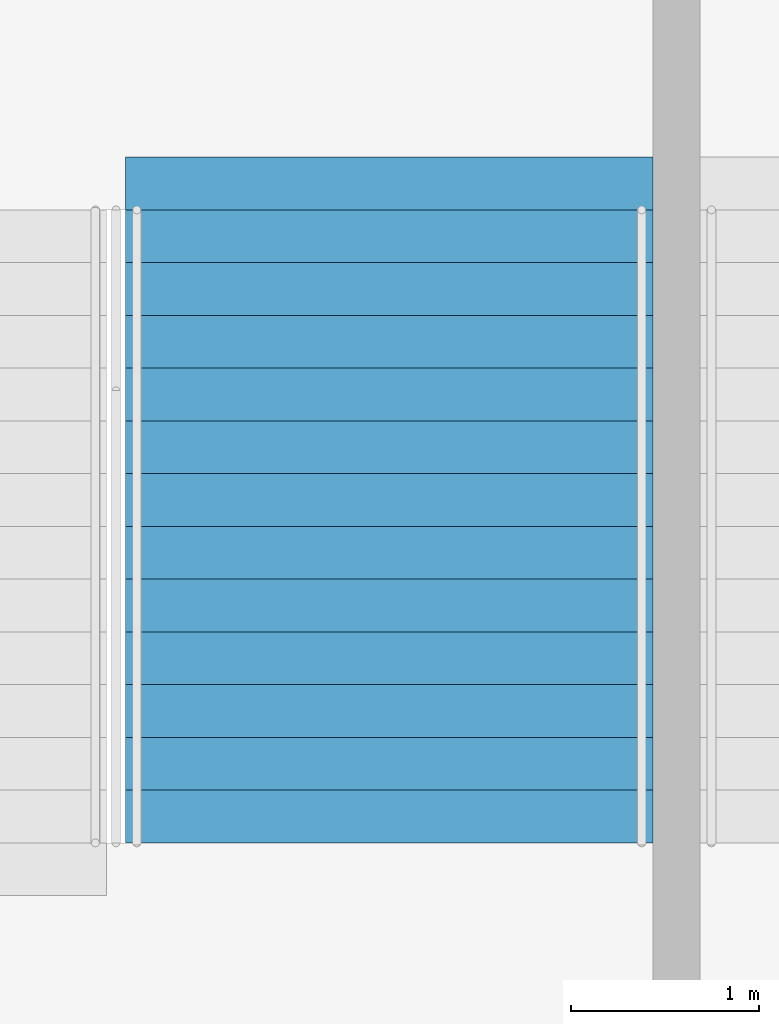
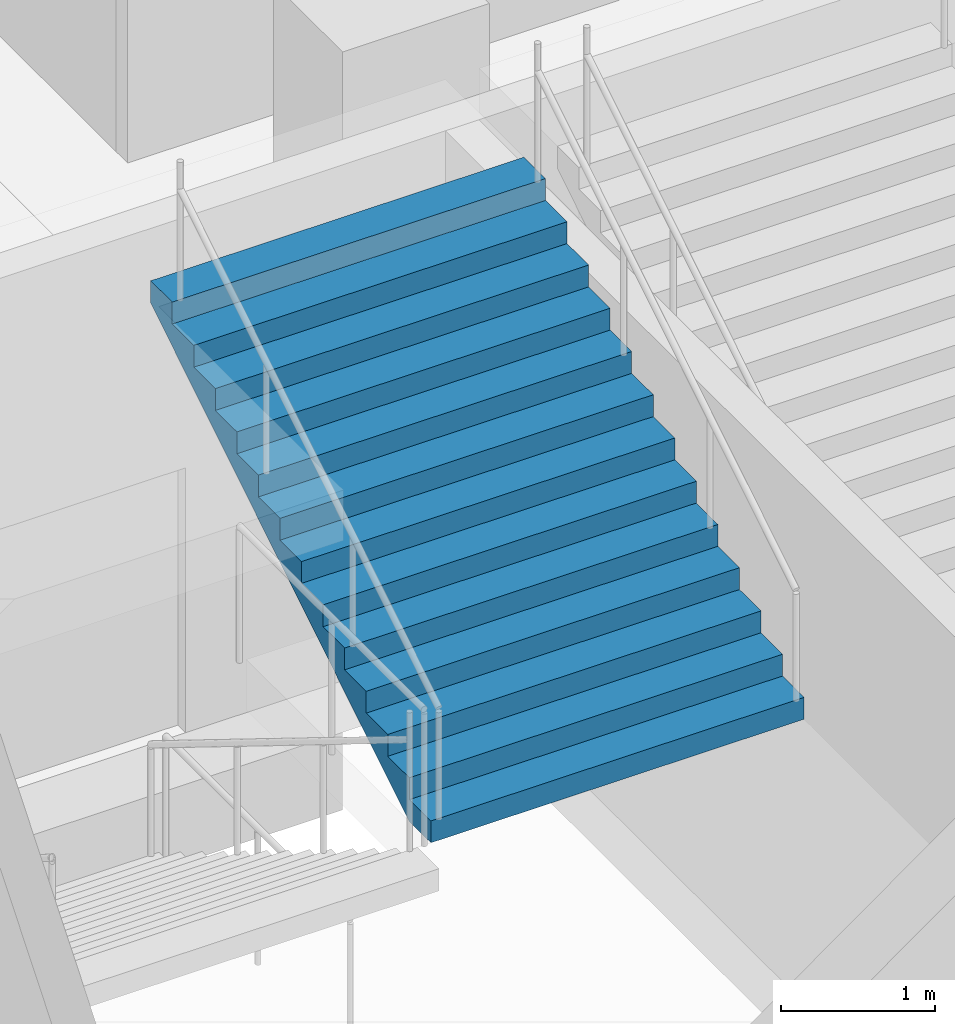
# One storey, part 118 of 199: 1 stair flight, 1 element without a shape of its own.
"""IFC4 building model written with IfcOpenShell, lengths in metres."""

import ifcopenshell
import ifcopenshell.guid

model = None  # the IFC model being written
_history = None  # IfcOwnerHistory: only IFC2X3 demands one
_inside = {}  # id of a spatial element -> (the spatial element, [elements in it])
_under = {}  # id of a project, library or spatial element -> (it, [spatial elements below it])
_declared = {}  # id of a project -> (the project, [libraries it declares])
_typed = {}  # id of a type object -> (the type object, [elements of that type])
_made_of = {}  # id of a material, layer set ... -> (it, [elements and type objects made of it])


def new_model(schema):
    """Start an empty IFC model of exactly this schema.

    Asked for "IFC4X3", IfcOpenShell would pick the latest addendum, in which some entities
    have other attributes; the version numbers below select the first issue.
    IFC2X3 requires an IfcOwnerHistory on every rooted entity: one is made here for all.
    """
    global model, _history
    if schema == "IFC4X3":
        model = ifcopenshell.file(schema_version=(4, 3, 0, 0))
    else:
        model = ifcopenshell.file(schema=schema)
    _inside.clear()
    _under.clear()
    _declared.clear()
    _typed.clear()
    _made_of.clear()
    _history = None
    if model.schema == "IFC2X3":
        org = make("IfcOrganization", Name="unknown")
        user = make(
            "IfcPersonAndOrganization",
            ThePerson=make("IfcPerson", FamilyName="unknown"),
            TheOrganization=org,
        )
        app = make(
            "IfcApplication",
            ApplicationDeveloper=org,
            Version="unknown",
            ApplicationFullName="unknown",
            ApplicationIdentifier="unknown",
        )
        _history = make(
            "IfcOwnerHistory",
            OwningUser=user,
            OwningApplication=app,
            ChangeAction="ADDED",
            CreationDate=0,
        )
    return model


def make(cls, **values):
    """One entity of the class cls with the attributes given. An attribute that is None is left unset."""
    return model.create_entity(
        cls, **{name: value for name, value in values.items() if value is not None}
    )


def rooted(cls, **values):
    """An entity with a GlobalId (a new one), such as an element, a storey or a relation."""
    return make(cls, GlobalId=ifcopenshell.guid.new(), OwnerHistory=_history, **values)


def si_unit(unit_type, name, prefix=None):
    """IfcSIUnit, for example si_unit("LENGTHUNIT", "METRE", prefix="MILLI")."""
    return make("IfcSIUnit", UnitType=unit_type, Prefix=prefix, Name=name)


def assignment(units):
    """IfcUnitAssignment: the units of a project."""
    return None if units is None else make("IfcUnitAssignment", Units=units)


def point(xyz):
    """IfcCartesianPoint."""
    return None if xyz is None else make("IfcCartesianPoint", Coordinates=xyz)


def direction(xyz):
    """IfcDirection."""
    return None if xyz is None else make("IfcDirection", DirectionRatios=xyz)


def frame(location, z_axis=None, x_axis=None):
    """IfcAxis2Placement3D, a coordinate frame: its origin and axes. An axis left out is left unset."""
    return make(
        "IfcAxis2Placement3D",
        Location=point(location),
        Axis=direction(z_axis),
        RefDirection=direction(x_axis),
    )


def origin():
    """The frame at (0, 0, 0) with its axes left unset."""
    return frame((0.0, 0.0, 0.0))


def place(relative_to, where):
    """IfcLocalPlacement: puts the frame where relative to a parent placement (None: the world)."""
    return make(
        "IfcLocalPlacement", PlacementRelTo=relative_to, RelativePlacement=where
    )


def context(
    kind, dimensions, precision=None, world=None, true_north=None, identifier=None
):
    """IfcGeometricRepresentationContext, for example the 3D "Model" context."""
    return make(
        "IfcGeometricRepresentationContext",
        ContextIdentifier=identifier,
        ContextType=kind,
        CoordinateSpaceDimension=dimensions,
        Precision=precision,
        WorldCoordinateSystem=world,
        TrueNorth=true_north,
    )


def subcontext(parent, identifier, kind, view, scale=None):
    """IfcGeometricRepresentationSubContext, for example "Body" below "Model"."""
    return make(
        "IfcGeometricRepresentationSubContext",
        ContextIdentifier=identifier,
        ContextType=kind,
        ParentContext=parent,
        TargetScale=scale,
        TargetView=view,
    )


def project(units=None, contexts=None):
    """IfcProject with its units and contexts."""
    return rooted(
        "IfcProject",
        Name="project",
        RepresentationContexts=contexts,
        UnitsInContext=assignment(units),
    )


def spatial(cls, under=None, at=None, **own):
    """A site, building, storey or space (cls), placed at a placement, below another one or the project."""
    s = rooted(cls, ObjectPlacement=at, **own)
    if under is not None:
        _under.setdefault(under.id(), (under, []))[1].append(s)
    return s


def faces_of(points, faces, orient=None, outer=None):
    """IfcFace entities. A face is a list of loops; a loop is a list of indices into points, from 0.

    orient and outer hold one flag for each loop. By default every Orientation is true, the
    first loop of a face is its IfcFaceOuterBound and the others are IfcFaceBound.
    """
    made = []
    for i, loops in enumerate(faces):
        bounds = []
        for j, loop in enumerate(loops):
            is_outer = j == 0 if outer is None else outer[i][j]
            bounds.append(
                make(
                    "IfcFaceOuterBound" if is_outer else "IfcFaceBound",
                    Bound=make("IfcPolyLoop", Polygon=[points[k] for k in loop]),
                    Orientation=True if orient is None else orient[i][j],
                )
            )
        made.append(make("IfcFace", Bounds=bounds))
    return made


def faceted_brep(points, faces, orient=None, outer=None, voids=None):
    """IfcFacetedBrep: a solid bounded by flat faces; with voids (closed shells), ...WithVoids."""
    shared = [point(p) for p in points]
    hull = make("IfcClosedShell", CfsFaces=faces_of(shared, faces, orient, outer))
    if voids is None:
        return make("IfcFacetedBrep", Outer=hull)
    return make(
        "IfcFacetedBrepWithVoids",
        Outer=hull,
        Voids=[
            make(cls, CfsFaces=faces_of(shared, fs, o, b)) for cls, fs, o, b in voids
        ],
    )


def shape(context_of_items, identifier, shape_type, items):
    """IfcShapeRepresentation: the items that make up one representation, for example the "Body"."""
    return make(
        "IfcShapeRepresentation",
        ContextOfItems=context_of_items,
        RepresentationIdentifier=identifier,
        RepresentationType=shape_type,
        Items=items,
    )


def material(Name=None, Category=None):
    """IfcMaterial."""
    return make("IfcMaterial", Name=Name, Category=Category)


def made_of(thing, what):
    """Note that an element or type object is made of a material, layer set ...; save() writes the relation."""
    if what is not None:
        _made_of.setdefault(what.id(), (what, []))[1].append(thing)
    return thing


def type_object(cls, material=None, **own):
    """A type object (cls), such as IfcWallType, which elements share."""
    return made_of(rooted(cls, **own), material)


def element(
    cls,
    number,
    at=None,
    inside=None,
    cuts=None,
    type_object=None,
    material=None,
    context=None,
    identifier="Body",
    shape_type=None,
    held_by="IfcProductDefinitionShape",
    body=None,
    shapes=None,
    **own,
):
    """One element of the class cls, such as IfcWall. Its Tag is "e" and its number.

    at: its placement. inside: the storey or other place that contains it. cuts: it is an
    opening in that element (IfcRelVoidsElement). A single representation is given by context,
    identifier, shape_type and body (its items); several are given by shapes. held_by: the class
    of the entity that holds the representations. save() writes the other relations.
    """
    e = rooted(cls, Tag="e%d" % number, ObjectPlacement=at, **own)
    if body is not None:
        shapes = [shape(context, identifier, shape_type, body)]
    if shapes is not None:
        e.Representation = make(held_by, Representations=shapes)
    if inside is not None:
        _inside.setdefault(inside.id(), (inside, []))[1].append(e)
    if cuts is not None:
        rooted(
            "IfcRelVoidsElement", RelatingBuildingElement=cuts, RelatedOpeningElement=e
        )
    if type_object is not None:
        _typed.setdefault(type_object.id(), (type_object, []))[1].append(e)
    return made_of(e, material)


def aggregate(whole, parts):
    """IfcRelAggregates: a whole, such as a stair, and the parts it consists of."""
    return rooted("IfcRelAggregates", RelatingObject=whole, RelatedObjects=parts)


def save(model, path):
    """Write the relations noted so far, then the file.

    IfcRelAggregates (storeys below a building ...), IfcRelContainedInSpatialStructure (elements
    in a storey), IfcRelDefinesByType, IfcRelAssociatesMaterial and IfcRelDeclares: one each for
    every whole, place, type object, material and project.
    """
    for whole, parts in _under.values():
        aggregate(whole, parts)
    for where, things in _inside.values():
        rooted(
            "IfcRelContainedInSpatialStructure",
            RelatedElements=things,
            RelatingStructure=where,
        )
    for kind, things in _typed.values():
        rooted("IfcRelDefinesByType", RelatedObjects=things, RelatingType=kind)
    for what, things in _made_of.values():
        rooted("IfcRelAssociatesMaterial", RelatedObjects=things, RelatingMaterial=what)
    for by, libraries in _declared.values():
        rooted("IfcRelDeclares", RelatingContext=by, RelatedDefinitions=libraries)
    model.write(path)


model = new_model("IFC4")

# Units and contexts
model_context = context("Model", 3, precision=1e-05, world=origin(), true_north=direction((0.0, 1.0)))
body_context = subcontext(model_context, "Body", "Model", "MODEL_VIEW")
ifc_project = project(units=[si_unit("LENGTHUNIT", "METRE"), si_unit("AREAUNIT", "SQUARE_METRE"), si_unit("VOLUMEUNIT", "CUBIC_METRE"), si_unit("PLANEANGLEUNIT", "RADIAN"), si_unit("MASSUNIT", "GRAM", prefix="KILO")], contexts=[model_context])

# Site, building, storey
site_placement = place(None, origin())
site = spatial("IfcSite", under=ifc_project, at=site_placement, CompositionType="ELEMENT")
building_placement = place(site_placement, origin())
building = spatial("IfcBuilding", under=site, at=building_placement, Name="Ogive Plaza Stadium", CompositionType="ELEMENT")
storey_placement = place(building_placement, frame((0.0, 0.0, 9.0)))
storey = spatial("IfcBuildingStorey", under=building, at=storey_placement, Name="L02", CompositionType="ELEMENT", Elevation=9.0)

# Stair, stair flight
ifc_material_1 = material(Name="Concrete C40/50", Category="concrete")
stair_type = type_object("IfcStairType", Name="Exit stair", PredefinedType="STRAIGHT_RUN_STAIR", material=ifc_material_1)
stair_placement = place(storey_placement, origin())
stair = element("IfcStair", 1, at=stair_placement, inside=storey, type_object=stair_type, Name="Exit stair ST14A L02 to L03", PredefinedType="STRAIGHT_RUN_STAIR")
ifc_material_2 = material(Name="Concrete C40/50", Category="concrete")
stair_flight_type = type_object("IfcStairFlightType", Name="Exit stair flight", PredefinedType="STRAIGHT", material=ifc_material_2)
stair_flight_placement = place(storey_placement, frame((5.27490234375, -98.2099609375, 2.25), z_axis=(0.0, 0.0, 1.0), x_axis=(0.0, 1.0, 0.0)))
stair_flight = element("IfcStairFlight", 2, at=stair_flight_placement, type_object=stair_flight_type, Name="ST14A flight 2", NumberOfRisers=13, NumberOfTreads=12, PredefinedType="STRAIGHT", RiserHeight=0.173076923, TreadLength=0.28, context=body_context, shape_type="Brep", body=[
    faceted_brep([(0.28515625, -1.39990234375, 0.0), (3.639892578125, -1.39990234375, 2.07373046875), (3.639892578125, -1.39990234375, 2.25), (3.360107421875, -1.39990234375, 2.25), (3.360107421875, -1.39990234375, 2.076904296875), (3.080078125, -1.39990234375, 2.076904296875), (3.080078125, -1.39990234375, 1.90380859375), (2.800048828125, -1.39990234375, 1.90380859375), (2.800048828125, -1.39990234375, 1.730712890625), (2.52001953125, -1.39990234375, 1.730712890625), (2.52001953125, -1.39990234375, 1.5576171875), (2.239990234375, -1.39990234375, 1.5576171875), (2.239990234375, -1.39990234375, 1.384521484375), (1.9599609375, -1.39990234375, 1.384521484375), (1.9599609375, -1.39990234375, 1.21142578125), (1.679931640625, -1.39990234375, 1.21142578125), (1.679931640625, -1.39990234375, 1.03857421875), (1.39990234375, -1.39990234375, 1.03857421875), (1.39990234375, -1.39990234375, 0.865478515625), (1.1201171875, -1.39990234375, 0.865478515625), (1.1201171875, -1.39990234375, 0.6923828125), (0.840087890625, -1.39990234375, 0.6923828125), (0.840087890625, -1.39990234375, 0.519287109375), (0.56005859375, -1.39990234375, 0.519287109375), (0.56005859375, -1.39990234375, 0.34619140625), (0.280029296875, -1.39990234375, 0.34619140625), (0.280029296875, -1.39990234375, 0.173095703125), (0.0, -1.39990234375, 0.173095703125), (0.0, -1.39990234375, 0.0), (0.0, 1.39990234375, 0.0), (0.0, 1.39990234375, 0.173095703125), (0.280029296875, 1.39990234375, 0.173095703125), (0.280029296875, 1.39990234375, 0.34619140625), (0.56005859375, 1.39990234375, 0.34619140625), (0.56005859375, 1.39990234375, 0.519287109375), (0.840087890625, 1.39990234375, 0.519287109375), (0.840087890625, 1.39990234375, 0.6923828125), (1.1201171875, 1.39990234375, 0.6923828125), (1.1201171875, 1.39990234375, 0.865478515625), (1.39990234375, 1.39990234375, 0.865478515625), (1.39990234375, 1.39990234375, 1.03857421875), (1.679931640625, 1.39990234375, 1.03857421875), (1.679931640625, 1.39990234375, 1.21142578125), (1.9599609375, 1.39990234375, 1.21142578125), (1.9599609375, 1.39990234375, 1.384521484375), (2.239990234375, 1.39990234375, 1.384521484375), (2.239990234375, 1.39990234375, 1.5576171875), (2.52001953125, 1.39990234375, 1.5576171875), (2.52001953125, 1.39990234375, 1.730712890625), (2.800048828125, 1.39990234375, 1.730712890625), (2.800048828125, 1.39990234375, 1.90380859375), (3.080078125, 1.39990234375, 1.90380859375), (3.080078125, 1.39990234375, 2.076904296875), (3.360107421875, 1.39990234375, 2.076904296875), (3.360107421875, 1.39990234375, 2.25), (3.639892578125, 1.39990234375, 2.25), (3.639892578125, 1.39990234375, 2.07373046875), (0.28515625, 1.39990234375, 0.0), (0.28515625, -1.0888671875, 0.0), (3.639892578125, -1.0888671875, 2.07373046875), (0.28515625, -0.77783203125, 0.0), (3.639892578125, -0.77783203125, 2.07373046875), (0.28515625, -0.466796875, 0.0), (3.639892578125, -0.466796875, 2.07373046875), (0.28515625, -0.155517578125, 0.0), (3.639892578125, -0.155517578125, 2.07373046875), (0.28515625, 0.155517578125, 0.0), (3.639892578125, 0.155517578125, 2.07373046875), (0.28515625, 0.466796875, 0.0), (3.639892578125, 0.466796875, 2.07373046875), (0.28515625, 0.77783203125, 0.0), (3.639892578125, 0.77783203125, 2.07373046875), (0.28515625, 1.0888671875, 0.0), (3.639892578125, 1.0888671875, 2.07373046875), (3.639892578125, -1.0888671875, 2.25), (3.639892578125, -0.77783203125, 2.25), (3.639892578125, -0.466796875, 2.25), (3.639892578125, -0.155517578125, 2.25), (3.639892578125, 0.155517578125, 2.25), (3.639892578125, 0.466796875, 2.25), (3.639892578125, 0.77783203125, 2.25), (3.639892578125, 1.0888671875, 2.25), (3.360107421875, -1.0888671875, 2.25), (3.360107421875, -0.77783203125, 2.25), (3.360107421875, -0.466796875, 2.25), (3.360107421875, -0.155517578125, 2.25), (3.360107421875, 0.155517578125, 2.25), (3.360107421875, 0.466796875, 2.25), (3.360107421875, 0.77783203125, 2.25), (3.360107421875, 1.0888671875, 2.25), (3.360107421875, -1.0888671875, 2.076904296875), (3.360107421875, -0.77783203125, 2.076904296875), (3.360107421875, -0.466796875, 2.076904296875), (3.360107421875, -0.155517578125, 2.076904296875), (3.360107421875, 0.155517578125, 2.076904296875), (3.360107421875, 0.466796875, 2.076904296875), (3.360107421875, 0.77783203125, 2.076904296875), (3.360107421875, 1.0888671875, 2.076904296875), (3.080078125, -1.0888671875, 2.076904296875), (3.080078125, -0.77783203125, 2.076904296875), (3.080078125, -0.466796875, 2.076904296875), (3.080078125, -0.155517578125, 2.076904296875), (3.080078125, 0.155517578125, 2.076904296875), (3.080078125, 0.466796875, 2.076904296875), (3.080078125, 0.77783203125, 2.076904296875), (3.080078125, 1.0888671875, 2.076904296875), (3.080078125, -1.0888671875, 1.90380859375), (3.080078125, -0.77783203125, 1.90380859375), (3.080078125, -0.466796875, 1.90380859375), (3.080078125, -0.155517578125, 1.90380859375), (3.080078125, 0.155517578125, 1.90380859375), (3.080078125, 0.466796875, 1.90380859375), (3.080078125, 0.77783203125, 1.90380859375), (3.080078125, 1.0888671875, 1.90380859375), (2.800048828125, -1.0888671875, 1.90380859375), (2.800048828125, -0.77783203125, 1.90380859375), (2.800048828125, -0.466796875, 1.90380859375), (2.800048828125, -0.155517578125, 1.90380859375), (2.800048828125, 0.155517578125, 1.90380859375), (2.800048828125, 0.466796875, 1.90380859375), (2.800048828125, 0.77783203125, 1.90380859375), (2.800048828125, 1.0888671875, 1.90380859375), (2.800048828125, -1.0888671875, 1.730712890625), (2.800048828125, -0.77783203125, 1.730712890625), (2.800048828125, -0.466796875, 1.730712890625), (2.800048828125, -0.155517578125, 1.730712890625), (2.800048828125, 0.155517578125, 1.730712890625), (2.800048828125, 0.466796875, 1.730712890625), (2.800048828125, 0.77783203125, 1.730712890625), (2.800048828125, 1.0888671875, 1.730712890625), (2.52001953125, -1.0888671875, 1.730712890625), (2.52001953125, -0.77783203125, 1.730712890625), (2.52001953125, -0.466796875, 1.730712890625), (2.52001953125, -0.155517578125, 1.730712890625), (2.52001953125, 0.155517578125, 1.730712890625), (2.52001953125, 0.466796875, 1.730712890625), (2.52001953125, 0.77783203125, 1.730712890625), (2.52001953125, 1.0888671875, 1.730712890625), (2.52001953125, -1.0888671875, 1.5576171875), (2.52001953125, -0.77783203125, 1.5576171875), (2.52001953125, -0.466796875, 1.5576171875), (2.52001953125, -0.155517578125, 1.5576171875), (2.52001953125, 0.155517578125, 1.5576171875), (2.52001953125, 0.466796875, 1.5576171875), (2.52001953125, 0.77783203125, 1.5576171875), (2.52001953125, 1.0888671875, 1.5576171875), (2.239990234375, -1.0888671875, 1.5576171875), (2.239990234375, -0.77783203125, 1.5576171875), (2.239990234375, -0.466796875, 1.5576171875), (2.239990234375, -0.155517578125, 1.5576171875), (2.239990234375, 0.155517578125, 1.5576171875), (2.239990234375, 0.466796875, 1.5576171875), (2.239990234375, 0.77783203125, 1.5576171875), (2.239990234375, 1.0888671875, 1.5576171875), (2.239990234375, -1.0888671875, 1.384521484375), (2.239990234375, -0.77783203125, 1.384521484375), (2.239990234375, -0.466796875, 1.384521484375), (2.239990234375, -0.155517578125, 1.384521484375), (2.239990234375, 0.155517578125, 1.384521484375), (2.239990234375, 0.466796875, 1.384521484375), (2.239990234375, 0.77783203125, 1.384521484375), (2.239990234375, 1.0888671875, 1.384521484375), (1.9599609375, -1.0888671875, 1.384521484375), (1.9599609375, -0.77783203125, 1.384521484375), (1.9599609375, -0.466796875, 1.384521484375), (1.9599609375, -0.155517578125, 1.384521484375), (1.9599609375, 0.155517578125, 1.384521484375), (1.9599609375, 0.466796875, 1.384521484375), (1.9599609375, 0.77783203125, 1.384521484375), (1.9599609375, 1.0888671875, 1.384521484375), (1.9599609375, -1.0888671875, 1.21142578125), (1.9599609375, -0.77783203125, 1.21142578125), (1.9599609375, -0.466796875, 1.21142578125), (1.9599609375, -0.155517578125, 1.21142578125), (1.9599609375, 0.155517578125, 1.21142578125), (1.9599609375, 0.466796875, 1.21142578125), (1.9599609375, 0.77783203125, 1.21142578125), (1.9599609375, 1.0888671875, 1.21142578125), (1.679931640625, -1.0888671875, 1.21142578125), (1.679931640625, -0.77783203125, 1.21142578125), (1.679931640625, -0.466796875, 1.21142578125), (1.679931640625, -0.155517578125, 1.21142578125), (1.679931640625, 0.155517578125, 1.21142578125), (1.679931640625, 0.466796875, 1.21142578125), (1.679931640625, 0.77783203125, 1.21142578125), (1.679931640625, 1.0888671875, 1.21142578125), (1.679931640625, -1.0888671875, 1.03857421875), (1.679931640625, -0.77783203125, 1.03857421875), (1.679931640625, -0.466796875, 1.03857421875), (1.679931640625, -0.155517578125, 1.03857421875), (1.679931640625, 0.155517578125, 1.03857421875), (1.679931640625, 0.466796875, 1.03857421875), (1.679931640625, 0.77783203125, 1.03857421875), (1.679931640625, 1.0888671875, 1.03857421875), (1.39990234375, -1.0888671875, 1.03857421875), (1.39990234375, -0.77783203125, 1.03857421875), (1.39990234375, -0.466796875, 1.03857421875), (1.39990234375, -0.155517578125, 1.03857421875), (1.39990234375, 0.155517578125, 1.03857421875), (1.39990234375, 0.466796875, 1.03857421875), (1.39990234375, 0.77783203125, 1.03857421875), (1.39990234375, 1.0888671875, 1.03857421875), (1.39990234375, -1.0888671875, 0.865478515625), (1.39990234375, -0.77783203125, 0.865478515625), (1.39990234375, -0.466796875, 0.865478515625), (1.39990234375, -0.155517578125, 0.865478515625), (1.39990234375, 0.155517578125, 0.865478515625), (1.39990234375, 0.466796875, 0.865478515625), (1.39990234375, 0.77783203125, 0.865478515625), (1.39990234375, 1.0888671875, 0.865478515625), (1.1201171875, -1.0888671875, 0.865478515625), (1.1201171875, -0.77783203125, 0.865478515625), (1.1201171875, -0.466796875, 0.865478515625), (1.1201171875, -0.155517578125, 0.865478515625), (1.1201171875, 0.155517578125, 0.865478515625), (1.1201171875, 0.466796875, 0.865478515625), (1.1201171875, 0.77783203125, 0.865478515625), (1.1201171875, 1.0888671875, 0.865478515625), (1.1201171875, -1.0888671875, 0.6923828125), (1.1201171875, -0.77783203125, 0.6923828125), (1.1201171875, -0.466796875, 0.6923828125), (1.1201171875, -0.155517578125, 0.6923828125), (1.1201171875, 0.155517578125, 0.6923828125), (1.1201171875, 0.466796875, 0.6923828125), (1.1201171875, 0.77783203125, 0.6923828125), (1.1201171875, 1.0888671875, 0.6923828125), (0.840087890625, -1.0888671875, 0.6923828125), (0.840087890625, -0.77783203125, 0.6923828125), (0.840087890625, -0.466796875, 0.6923828125), (0.840087890625, -0.155517578125, 0.6923828125), (0.840087890625, 0.155517578125, 0.6923828125), (0.840087890625, 0.466796875, 0.6923828125), (0.840087890625, 0.77783203125, 0.6923828125), (0.840087890625, 1.0888671875, 0.6923828125), (0.840087890625, -1.0888671875, 0.519287109375), (0.840087890625, -0.77783203125, 0.519287109375), (0.840087890625, -0.466796875, 0.519287109375), (0.840087890625, -0.155517578125, 0.519287109375), (0.840087890625, 0.155517578125, 0.519287109375), (0.840087890625, 0.466796875, 0.519287109375), (0.840087890625, 0.77783203125, 0.519287109375), (0.840087890625, 1.0888671875, 0.519287109375), (0.56005859375, -1.0888671875, 0.519287109375), (0.56005859375, -0.77783203125, 0.519287109375), (0.56005859375, -0.466796875, 0.519287109375), (0.56005859375, -0.155517578125, 0.519287109375), (0.56005859375, 0.155517578125, 0.519287109375), (0.56005859375, 0.466796875, 0.519287109375), (0.56005859375, 0.77783203125, 0.519287109375), (0.56005859375, 1.0888671875, 0.519287109375), (0.56005859375, -1.0888671875, 0.34619140625), (0.56005859375, -0.77783203125, 0.34619140625), (0.56005859375, -0.466796875, 0.34619140625), (0.56005859375, -0.155517578125, 0.34619140625), (0.56005859375, 0.155517578125, 0.34619140625), (0.56005859375, 0.466796875, 0.34619140625), (0.56005859375, 0.77783203125, 0.34619140625), (0.56005859375, 1.0888671875, 0.34619140625), (0.280029296875, -1.0888671875, 0.34619140625), (0.280029296875, -0.77783203125, 0.34619140625), (0.280029296875, -0.466796875, 0.34619140625), (0.280029296875, -0.155517578125, 0.34619140625), (0.280029296875, 0.155517578125, 0.34619140625), (0.280029296875, 0.466796875, 0.34619140625), (0.280029296875, 0.77783203125, 0.34619140625), (0.280029296875, 1.0888671875, 0.34619140625), (0.280029296875, -1.0888671875, 0.173095703125), (0.280029296875, -0.77783203125, 0.173095703125), (0.280029296875, -0.466796875, 0.173095703125), (0.280029296875, -0.155517578125, 0.173095703125), (0.280029296875, 0.155517578125, 0.173095703125), (0.280029296875, 0.466796875, 0.173095703125), (0.280029296875, 0.77783203125, 0.173095703125), (0.280029296875, 1.0888671875, 0.173095703125), (0.0, -1.0888671875, 0.173095703125), (0.0, -0.77783203125, 0.173095703125), (0.0, -0.466796875, 0.173095703125), (0.0, -0.155517578125, 0.173095703125), (0.0, 0.155517578125, 0.173095703125), (0.0, 0.466796875, 0.173095703125), (0.0, 0.77783203125, 0.173095703125), (0.0, 1.0888671875, 0.173095703125), (0.0, -1.0888671875, 0.0), (0.0, -0.77783203125, 0.0), (0.0, -0.466796875, 0.0), (0.0, -0.155517578125, 0.0), (0.0, 0.155517578125, 0.0), (0.0, 0.466796875, 0.0), (0.0, 0.77783203125, 0.0), (0.0, 1.0888671875, 0.0)], [[[0, 1, 2, 3, 4, 5, 6, 7, 8, 9, 10, 11, 12, 13, 14, 15, 16, 17, 18, 19, 20, 21, 22, 23, 24, 25, 26, 27, 28]], [[29, 30, 31, 32, 33, 34, 35, 36, 37, 38, 39, 40, 41, 42, 43, 44, 45, 46, 47, 48, 49, 50, 51, 52, 53, 54, 55, 56, 57]], [[0, 58, 59, 1]], [[58, 60, 61, 59]], [[60, 62, 63, 61]], [[62, 64, 65, 63]], [[64, 66, 67, 65]], [[66, 68, 69, 67]], [[68, 70, 71, 69]], [[70, 72, 73, 71]], [[72, 57, 56, 73]], [[1, 59, 74, 2]], [[59, 61, 75, 74]], [[61, 63, 76, 75]], [[63, 65, 77, 76]], [[65, 67, 78, 77]], [[67, 69, 79, 78]], [[69, 71, 80, 79]], [[71, 73, 81, 80]], [[73, 56, 55, 81]], [[2, 74, 82, 3]], [[74, 75, 83, 82]], [[75, 76, 84, 83]], [[76, 77, 85, 84]], [[77, 78, 86, 85]], [[78, 79, 87, 86]], [[79, 80, 88, 87]], [[80, 81, 89, 88]], [[81, 55, 54, 89]], [[3, 82, 90, 4]], [[82, 83, 91, 90]], [[83, 84, 92, 91]], [[84, 85, 93, 92]], [[85, 86, 94, 93]], [[86, 87, 95, 94]], [[87, 88, 96, 95]], [[88, 89, 97, 96]], [[89, 54, 53, 97]], [[4, 90, 98, 5]], [[90, 91, 99, 98]], [[91, 92, 100, 99]], [[92, 93, 101, 100]], [[93, 94, 102, 101]], [[94, 95, 103, 102]], [[95, 96, 104, 103]], [[96, 97, 105, 104]], [[97, 53, 52, 105]], [[5, 98, 106, 6]], [[98, 99, 107, 106]], [[99, 100, 108, 107]], [[100, 101, 109, 108]], [[101, 102, 110, 109]], [[102, 103, 111, 110]], [[103, 104, 112, 111]], [[104, 105, 113, 112]], [[105, 52, 51, 113]], [[6, 106, 114, 7]], [[106, 107, 115, 114]], [[107, 108, 116, 115]], [[108, 109, 117, 116]], [[109, 110, 118, 117]], [[110, 111, 119, 118]], [[111, 112, 120, 119]], [[112, 113, 121, 120]], [[113, 51, 50, 121]], [[7, 114, 122, 8]], [[114, 115, 123, 122]], [[115, 116, 124, 123]], [[116, 117, 125, 124]], [[117, 118, 126, 125]], [[118, 119, 127, 126]], [[119, 120, 128, 127]], [[120, 121, 129, 128]], [[121, 50, 49, 129]], [[8, 122, 130, 9]], [[122, 123, 131, 130]], [[123, 124, 132, 131]], [[124, 125, 133, 132]], [[125, 126, 134, 133]], [[126, 127, 135, 134]], [[127, 128, 136, 135]], [[128, 129, 137, 136]], [[129, 49, 48, 137]], [[9, 130, 138, 10]], [[130, 131, 139, 138]], [[131, 132, 140, 139]], [[132, 133, 141, 140]], [[133, 134, 142, 141]], [[134, 135, 143, 142]], [[135, 136, 144, 143]], [[136, 137, 145, 144]], [[137, 48, 47, 145]], [[10, 138, 146, 11]], [[138, 139, 147, 146]], [[139, 140, 148, 147]], [[140, 141, 149, 148]], [[141, 142, 150, 149]], [[142, 143, 151, 150]], [[143, 144, 152, 151]], [[144, 145, 153, 152]], [[145, 47, 46, 153]], [[11, 146, 154, 12]], [[146, 147, 155, 154]], [[147, 148, 156, 155]], [[148, 149, 157, 156]], [[149, 150, 158, 157]], [[150, 151, 159, 158]], [[151, 152, 160, 159]], [[152, 153, 161, 160]], [[153, 46, 45, 161]], [[12, 154, 162, 13]], [[154, 155, 163, 162]], [[155, 156, 164, 163]], [[156, 157, 165, 164]], [[157, 158, 166, 165]], [[158, 159, 167, 166]], [[159, 160, 168, 167]], [[160, 161, 169, 168]], [[161, 45, 44, 169]], [[13, 162, 170, 14]], [[162, 163, 171, 170]], [[163, 164, 172, 171]], [[164, 165, 173, 172]], [[165, 166, 174, 173]], [[166, 167, 175, 174]], [[167, 168, 176, 175]], [[168, 169, 177, 176]], [[169, 44, 43, 177]], [[14, 170, 178, 15]], [[170, 171, 179, 178]], [[171, 172, 180, 179]], [[172, 173, 181, 180]], [[173, 174, 182, 181]], [[174, 175, 183, 182]], [[175, 176, 184, 183]], [[176, 177, 185, 184]], [[177, 43, 42, 185]], [[15, 178, 186, 16]], [[178, 179, 187, 186]], [[179, 180, 188, 187]], [[180, 181, 189, 188]], [[181, 182, 190, 189]], [[182, 183, 191, 190]], [[183, 184, 192, 191]], [[184, 185, 193, 192]], [[185, 42, 41, 193]], [[16, 186, 194, 17]], [[186, 187, 195, 194]], [[187, 188, 196, 195]], [[188, 189, 197, 196]], [[189, 190, 198, 197]], [[190, 191, 199, 198]], [[191, 192, 200, 199]], [[192, 193, 201, 200]], [[193, 41, 40, 201]], [[17, 194, 202, 18]], [[194, 195, 203, 202]], [[195, 196, 204, 203]], [[196, 197, 205, 204]], [[197, 198, 206, 205]], [[198, 199, 207, 206]], [[199, 200, 208, 207]], [[200, 201, 209, 208]], [[201, 40, 39, 209]], [[18, 202, 210, 19]], [[202, 203, 211, 210]], [[203, 204, 212, 211]], [[204, 205, 213, 212]], [[205, 206, 214, 213]], [[206, 207, 215, 214]], [[207, 208, 216, 215]], [[208, 209, 217, 216]], [[209, 39, 38, 217]], [[19, 210, 218, 20]], [[210, 211, 219, 218]], [[211, 212, 220, 219]], [[212, 213, 221, 220]], [[213, 214, 222, 221]], [[214, 215, 223, 222]], [[215, 216, 224, 223]], [[216, 217, 225, 224]], [[217, 38, 37, 225]], [[20, 218, 226, 21]], [[218, 219, 227, 226]], [[219, 220, 228, 227]], [[220, 221, 229, 228]], [[221, 222, 230, 229]], [[222, 223, 231, 230]], [[223, 224, 232, 231]], [[224, 225, 233, 232]], [[225, 37, 36, 233]], [[21, 226, 234, 22]], [[226, 227, 235, 234]], [[227, 228, 236, 235]], [[228, 229, 237, 236]], [[229, 230, 238, 237]], [[230, 231, 239, 238]], [[231, 232, 240, 239]], [[232, 233, 241, 240]], [[233, 36, 35, 241]], [[22, 234, 242, 23]], [[234, 235, 243, 242]], [[235, 236, 244, 243]], [[236, 237, 245, 244]], [[237, 238, 246, 245]], [[238, 239, 247, 246]], [[239, 240, 248, 247]], [[240, 241, 249, 248]], [[241, 35, 34, 249]], [[23, 242, 250, 24]], [[242, 243, 251, 250]], [[243, 244, 252, 251]], [[244, 245, 253, 252]], [[245, 246, 254, 253]], [[246, 247, 255, 254]], [[247, 248, 256, 255]], [[248, 249, 257, 256]], [[249, 34, 33, 257]], [[24, 250, 258, 25]], [[250, 251, 259, 258]], [[251, 252, 260, 259]], [[252, 253, 261, 260]], [[253, 254, 262, 261]], [[254, 255, 263, 262]], [[255, 256, 264, 263]], [[256, 257, 265, 264]], [[257, 33, 32, 265]], [[25, 258, 266, 26]], [[258, 259, 267, 266]], [[259, 260, 268, 267]], [[260, 261, 269, 268]], [[261, 262, 270, 269]], [[262, 263, 271, 270]], [[263, 264, 272, 271]], [[264, 265, 273, 272]], [[265, 32, 31, 273]], [[26, 266, 274, 27]], [[266, 267, 275, 274]], [[267, 268, 276, 275]], [[268, 269, 277, 276]], [[269, 270, 278, 277]], [[270, 271, 279, 278]], [[271, 272, 280, 279]], [[272, 273, 281, 280]], [[273, 31, 30, 281]], [[27, 274, 282, 28]], [[274, 275, 283, 282]], [[275, 276, 284, 283]], [[276, 277, 285, 284]], [[277, 278, 286, 285]], [[278, 279, 287, 286]], [[279, 280, 288, 287]], [[280, 281, 289, 288]], [[281, 30, 29, 289]], [[28, 282, 58, 0]], [[282, 283, 60, 58]], [[283, 284, 62, 60]], [[284, 285, 64, 62]], [[285, 286, 66, 64]], [[286, 287, 68, 66]], [[287, 288, 70, 68]], [[288, 289, 72, 70]], [[289, 29, 57, 72]]]),
])
aggregate(stair, [stair_flight])

save(model, "model.ifc")
